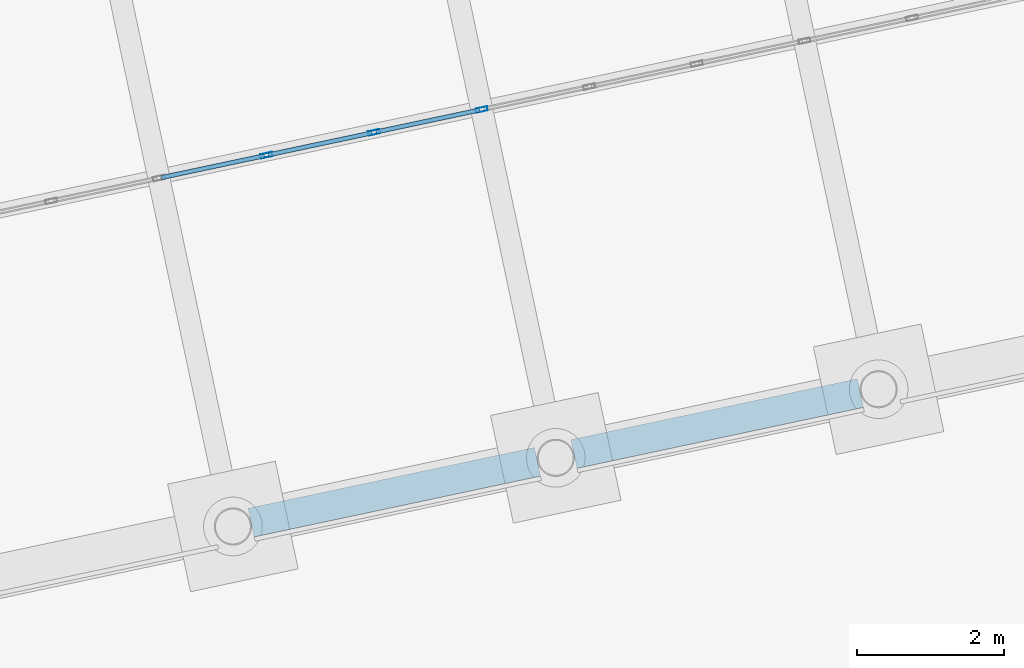
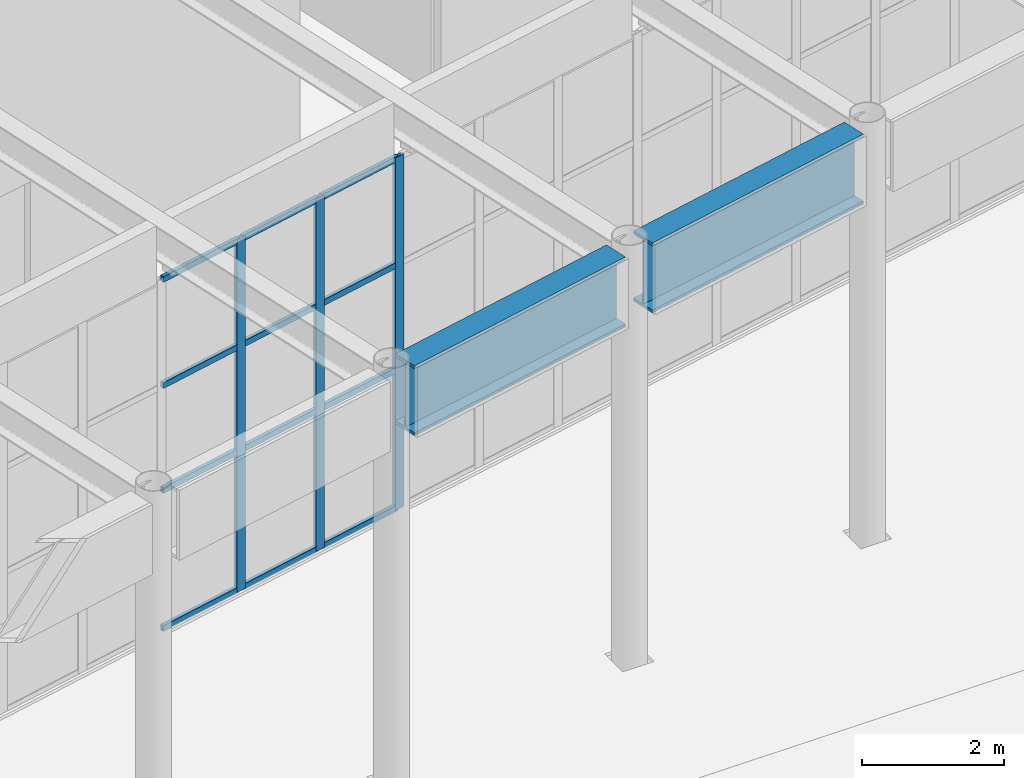
# One storey, part 62 of 239: 15 members, 2 beams, 1 element without a shape of its own.
"""IFC4 building model written with IfcOpenShell, lengths in metres."""

from ifc_helpers import new_model, si_unit, direction, frame, origin, origin_2d, place, context, subcontext, project, spatial, hollow_rectangle, i_section, extrude, material, material_profile, profile_set, type_object, element, aggregate, save


model = new_model("IFC4")

# Units and contexts
model_context = context("Model", 3, precision=1e-05, world=origin(), true_north=direction((0.0, 1.0)))
body_context = subcontext(model_context, "Body", "Model", "MODEL_VIEW")
ifc_project = project(units=[si_unit("LENGTHUNIT", "METRE"), si_unit("AREAUNIT", "SQUARE_METRE"), si_unit("VOLUMEUNIT", "CUBIC_METRE"), si_unit("PLANEANGLEUNIT", "RADIAN"), si_unit("MASSUNIT", "GRAM", prefix="KILO")], contexts=[model_context])

# Site, building, storey
site_placement = place(None, origin())
site = spatial("IfcSite", under=ifc_project, at=site_placement, CompositionType="ELEMENT")
building_placement = place(site_placement, origin())
building = spatial("IfcBuilding", under=site, at=building_placement, Name="Okhra Congress Centre", CompositionType="ELEMENT")
storey_placement = place(building_placement, origin())
storey = spatial("IfcBuildingStorey", under=building, at=storey_placement, Name="L00", CompositionType="ELEMENT", Elevation=0.0)

# Curtain wall, members
ifc_material_1 = material(Name="Aluminium curtain wall, triple glazing", Category="aluminium")
curtain_wall_type = type_object("IfcCurtainWallType", Name="Curtain wall 1500 module", PredefinedType="NOTDEFINED", material=ifc_material_1)
curtain_wall_placement = place(storey_placement, origin())
curtain_wall = element("IfcCurtainWall", 1, at=curtain_wall_placement, inside=storey, type_object=curtain_wall_type, Name="Ground curtain wall S2", PredefinedType="NOTDEFINED")
ifc_material_2 = material(Name="Aluminium alloy EN AW-6063 T66", Category="aluminium")
ifc_material_profile_1 = material_profile(ifc_material_2, hollow_rectangle(XDim=0.06005859375, YDim=0.159912109375, WallThickness=0.00390625, at=origin_2d()), Name="RHS 60x160x4")
ifc_profile_set_1 = profile_set([ifc_material_profile_1], Name="Aluminium alloy EN AW-6063 T66")
member_type_1 = type_object("IfcMemberType", Name="Curtain wall mullion 60x160", PredefinedType="MULLION", material=ifc_profile_set_1)
member_1_placement = place(storey_placement, frame((105.4853515625, 41.22607421875, 0.0), z_axis=(0.0, 0.0, 1.0), x_axis=(-0.207911690818, 0.978147600734, 0.0)))
member_1 = element("IfcMember", 2, at=member_1_placement, type_object=member_type_1, Name="CW7 mullion 12", PredefinedType="MULLION", context=body_context, shape_type="SweptSolid", body=[
    extrude(hollow_rectangle(XDim=0.06005859375, YDim=0.159912109375, WallThickness=0.00390625, at=origin_2d()), origin(), (0.0, 0.0, 1.0), 6.050048828125),
])
member_2_placement = place(storey_placement, frame((106.95263671875, 41.537841796875, 0.0), z_axis=(0.0, 0.0, 1.0), x_axis=(-0.207911690818, 0.978147600734, 0.0)))
member_2 = element("IfcMember", 3, at=member_2_placement, type_object=member_type_1, Name="CW7 mullion 13", PredefinedType="MULLION", context=body_context, shape_type="SweptSolid", body=[
    extrude(hollow_rectangle(XDim=0.06005859375, YDim=0.159912109375, WallThickness=0.00390625, at=origin_2d()), origin(), (0.0, 0.0, 1.0), 6.050048828125),
])
member_3_placement = place(storey_placement, frame((108.419921875, 41.849853515625, 0.0), z_axis=(0.0, 0.0, 1.0), x_axis=(-0.207911690818, 0.978147600734, 0.0)))
member_3 = element("IfcMember", 4, at=member_3_placement, type_object=member_type_1, Name="CW7 mullion 14", PredefinedType="MULLION", context=body_context, shape_type="SweptSolid", body=[
    extrude(hollow_rectangle(XDim=0.06005859375, YDim=0.159912109375, WallThickness=0.00390625, at=origin_2d()), origin(), (0.0, 0.0, 1.0), 6.050048828125),
])
ifc_material_profile_2 = material_profile(ifc_material_2, hollow_rectangle(XDim=0.06005859375, YDim=0.10009765625, WallThickness=0.00390625, at=origin_2d()), Name="RHS 60x100x4")
ifc_profile_set_2 = profile_set([ifc_material_profile_2], Name="Aluminium alloy EN AW-6063 T66")
member_type_2 = type_object("IfcMemberType", Name="Curtain wall transom 60x100", PredefinedType="USERDEFINED", material=ifc_profile_set_2)
member_4_placement = place(storey_placement, frame((104.047607421875, 40.92041015625, 0.030029296875), z_axis=(0.978155834385, 0.207872950764, 0.0), x_axis=(-0.207872950764, 0.978155834385, 0.0)))
member_4 = element("IfcMember", 5, at=member_4_placement, type_object=member_type_2, Name="CW7 transom 11.1", ObjectType="TRANSOM", PredefinedType="USERDEFINED", context=body_context, shape_type="SweptSolid", body=[
    extrude(hollow_rectangle(XDim=0.06005859375, YDim=0.10009765625, WallThickness=0.00390625, at=origin_2d()), origin(), (0.0, 0.0, 1.0), 1.43994140625),
])
member_5_placement = place(storey_placement, frame((104.047607421875, 40.92041015625, 2.39990234375), z_axis=(0.978155834385, 0.207872950764, 0.0), x_axis=(-0.207872950764, 0.978155834385, 0.0)))
member_5 = element("IfcMember", 6, at=member_5_placement, type_object=member_type_2, Name="CW7 transom 11.2", ObjectType="TRANSOM", PredefinedType="USERDEFINED", context=body_context, shape_type="SweptSolid", body=[
    extrude(hollow_rectangle(XDim=0.06005859375, YDim=0.10009765625, WallThickness=0.00390625, at=origin_2d()), origin(), (0.0, 0.0, 1.0), 1.43994140625),
])
member_6_placement = place(storey_placement, frame((104.047607421875, 40.92041015625, 4.199951171875), z_axis=(0.978155834385, 0.207872950764, 0.0), x_axis=(-0.207872950764, 0.978155834385, 0.0)))
member_6 = element("IfcMember", 7, at=member_6_placement, type_object=member_type_2, Name="CW7 transom 11.3", ObjectType="TRANSOM", PredefinedType="USERDEFINED", context=body_context, shape_type="SweptSolid", body=[
    extrude(hollow_rectangle(XDim=0.06005859375, YDim=0.10009765625, WallThickness=0.00390625, at=origin_2d()), origin(), (0.0, 0.0, 1.0), 1.43994140625),
])
member_7_placement = place(storey_placement, frame((104.047607421875, 40.92041015625, 6.02001953125), z_axis=(0.978155834385, 0.207872950764, 0.0), x_axis=(-0.207872950764, 0.978155834385, 0.0)))
member_7 = element("IfcMember", 8, at=member_7_placement, type_object=member_type_2, Name="CW7 transom 11.4", ObjectType="TRANSOM", PredefinedType="USERDEFINED", context=body_context, shape_type="SweptSolid", body=[
    extrude(hollow_rectangle(XDim=0.06005859375, YDim=0.10009765625, WallThickness=0.00390625, at=origin_2d()), origin(), (0.0, 0.0, 1.0), 1.43994140625),
])
member_8_placement = place(storey_placement, frame((105.514892578125, 41.232177734375, 0.030029296875), z_axis=(0.978121346413, 0.208035169362, 0.0), x_axis=(-0.208035169362, 0.978121346413, 0.0)))
member_8 = element("IfcMember", 9, at=member_8_placement, type_object=member_type_2, Name="CW7 transom 12.1", ObjectType="TRANSOM", PredefinedType="USERDEFINED", context=body_context, shape_type="SweptSolid", body=[
    extrude(hollow_rectangle(XDim=0.06005859375, YDim=0.10009765625, WallThickness=0.00390625, at=origin_2d()), origin(), (0.0, 0.0, 1.0), 1.43994140625),
])
member_9_placement = place(storey_placement, frame((105.514892578125, 41.232177734375, 2.39990234375), z_axis=(0.978121346413, 0.208035169362, 0.0), x_axis=(-0.208035169362, 0.978121346413, 0.0)))
member_9 = element("IfcMember", 10, at=member_9_placement, type_object=member_type_2, Name="CW7 transom 12.2", ObjectType="TRANSOM", PredefinedType="USERDEFINED", context=body_context, shape_type="SweptSolid", body=[
    extrude(hollow_rectangle(XDim=0.06005859375, YDim=0.10009765625, WallThickness=0.00390625, at=origin_2d()), origin(), (0.0, 0.0, 1.0), 1.43994140625),
])
member_10_placement = place(storey_placement, frame((105.514892578125, 41.232177734375, 4.199951171875), z_axis=(0.978121346413, 0.208035169362, 0.0), x_axis=(-0.208035169362, 0.978121346413, 0.0)))
member_10 = element("IfcMember", 11, at=member_10_placement, type_object=member_type_2, Name="CW7 transom 12.3", ObjectType="TRANSOM", PredefinedType="USERDEFINED", context=body_context, shape_type="SweptSolid", body=[
    extrude(hollow_rectangle(XDim=0.06005859375, YDim=0.10009765625, WallThickness=0.00390625, at=origin_2d()), origin(), (0.0, 0.0, 1.0), 1.43994140625),
])
member_11_placement = place(storey_placement, frame((105.514892578125, 41.232177734375, 6.02001953125), z_axis=(0.978121346413, 0.208035169362, 0.0), x_axis=(-0.208035169362, 0.978121346413, 0.0)))
member_11 = element("IfcMember", 12, at=member_11_placement, type_object=member_type_2, Name="CW7 transom 12.4", ObjectType="TRANSOM", PredefinedType="USERDEFINED", context=body_context, shape_type="SweptSolid", body=[
    extrude(hollow_rectangle(XDim=0.06005859375, YDim=0.10009765625, WallThickness=0.00390625, at=origin_2d()), origin(), (0.0, 0.0, 1.0), 1.43994140625),
])
member_12_placement = place(storey_placement, frame((106.98193359375, 41.544189453125, 0.030029296875), z_axis=(0.978163159179, 0.207838480616, 0.0), x_axis=(-0.207838480616, 0.978163159179, 0.0)))
member_12 = element("IfcMember", 13, at=member_12_placement, type_object=member_type_2, Name="CW7 transom 13.1", ObjectType="TRANSOM", PredefinedType="USERDEFINED", context=body_context, shape_type="SweptSolid", body=[
    extrude(hollow_rectangle(XDim=0.06005859375, YDim=0.10009765625, WallThickness=0.00390625, at=origin_2d()), origin(), (0.0, 0.0, 1.0), 1.440185546875),
])
member_13_placement = place(storey_placement, frame((106.98193359375, 41.544189453125, 2.39990234375), z_axis=(0.978163159179, 0.207838480616, 0.0), x_axis=(-0.207838480616, 0.978163159179, 0.0)))
member_13 = element("IfcMember", 14, at=member_13_placement, type_object=member_type_2, Name="CW7 transom 13.2", ObjectType="TRANSOM", PredefinedType="USERDEFINED", context=body_context, shape_type="SweptSolid", body=[
    extrude(hollow_rectangle(XDim=0.06005859375, YDim=0.10009765625, WallThickness=0.00390625, at=origin_2d()), origin(), (0.0, 0.0, 1.0), 1.440185546875),
])
member_14_placement = place(storey_placement, frame((106.98193359375, 41.544189453125, 4.199951171875), z_axis=(0.978163159179, 0.207838480616, 0.0), x_axis=(-0.207838480616, 0.978163159179, 0.0)))
member_14 = element("IfcMember", 15, at=member_14_placement, type_object=member_type_2, Name="CW7 transom 13.3", ObjectType="TRANSOM", PredefinedType="USERDEFINED", context=body_context, shape_type="SweptSolid", body=[
    extrude(hollow_rectangle(XDim=0.06005859375, YDim=0.10009765625, WallThickness=0.00390625, at=origin_2d()), origin(), (0.0, 0.0, 1.0), 1.440185546875),
])
member_15_placement = place(storey_placement, frame((106.98193359375, 41.544189453125, 6.02001953125), z_axis=(0.978163159179, 0.207838480616, 0.0), x_axis=(-0.207838480616, 0.978163159179, 0.0)))
member_15 = element("IfcMember", 16, at=member_15_placement, type_object=member_type_2, Name="CW7 transom 13.4", ObjectType="TRANSOM", PredefinedType="USERDEFINED", context=body_context, shape_type="SweptSolid", body=[
    extrude(hollow_rectangle(XDim=0.06005859375, YDim=0.10009765625, WallThickness=0.00390625, at=origin_2d()), origin(), (0.0, 0.0, 1.0), 1.440185546875),
])
aggregate(curtain_wall, [member_1, member_2, member_3, member_4, member_5, member_6, member_7, member_8, member_9, member_10, member_11, member_12, member_13, member_14, member_15])

# Beams
ifc_material_3 = material(Name="Steel S355J2", Category="steel")
ifc_material_profile_3 = material_profile(ifc_material_3, i_section(OverallWidth=0.39990234375, OverallDepth=1.199951171875, WebThickness=0.02490234375, FlangeThickness=0.050048828125, at=origin_2d()), Name="Plate girder 1200x400")
ifc_profile_set_3 = profile_set([ifc_material_profile_3], Name="Steel S355J2")
beam_type = type_object("IfcBeamType", Name="Perimeter plate girder 1200x400", PredefinedType="BEAM", material=ifc_profile_set_3)
for number, where, z_axis, x_axis, name in (
    (17, (105.276123046875, 36.218017578125, 6.449951171875), (0.978142994281, 0.207933361295, 0.0), (-0.207933361295, 0.978142994281, 0.0), "Perimeter girder S8"),
    (18, (109.677734375, 37.153564453125, 6.449951171875), (0.978142994281, 0.207933361295, 0.0), (-0.207933361295, 0.978142994281, 0.0), "Perimeter girder S9"),
):
    element("IfcBeam", number, at=place(storey_placement, frame(where, z_axis=z_axis, x_axis=x_axis)), inside=storey, type_object=beam_type, Name=name, PredefinedType="BEAM", context=body_context, shape_type="SweptSolid", body=[
        extrude(i_section(OverallWidth=0.39990234375, OverallDepth=1.199951171875, WebThickness=0.02490234375, FlangeThickness=0.050048828125, at=origin_2d()), origin(), (0.0, 0.0, 1.0), 3.991943359375),
    ])

save(model, "model.ifc")
